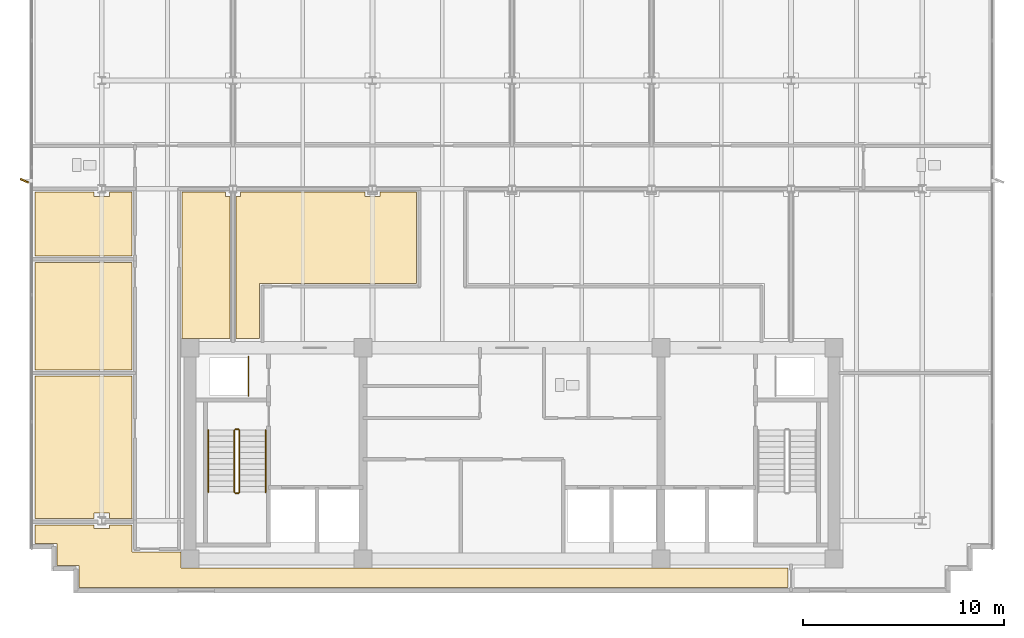
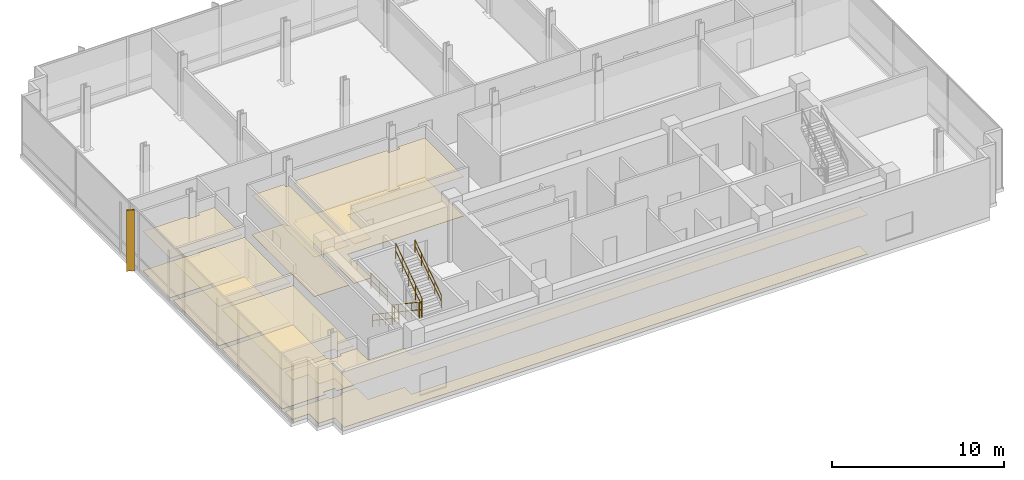
# One storey, part 13 of 17: 12 coverings, 7 railings, 1 shading device.
"""IFC4 building model written with IfcOpenShell, lengths in metres."""

from ifc_helpers import new_model, si_unit, direction, frame, origin, origin_2d, place, context, subcontext, project, spatial, polyline, rectangle, circle, outline, extrude, material, layer, layer_set, type_object, element, save


model = new_model("IFC4")

# Units and contexts
model_context = context("Model", 3, precision=1e-05, world=origin(), true_north=direction((0.0, 1.0)))
body_context = subcontext(model_context, "Body", "Model", "MODEL_VIEW")
ifc_project = project(units=[si_unit("LENGTHUNIT", "METRE"), si_unit("AREAUNIT", "SQUARE_METRE"), si_unit("VOLUMEUNIT", "CUBIC_METRE"), si_unit("PLANEANGLEUNIT", "RADIAN"), si_unit("MASSUNIT", "GRAM", prefix="KILO")], contexts=[model_context])

# Site, building, storey
site_placement = place(None, origin())
site = spatial("IfcSite", under=ifc_project, at=site_placement, CompositionType="ELEMENT")
building_placement = place(site_placement, origin())
building = spatial("IfcBuilding", under=site, at=building_placement, Name="Solmavex Isthmus Hotel", CompositionType="ELEMENT")
storey_placement = place(building_placement, frame((0.0, 0.0, 286.800048828125)))
storey = spatial("IfcBuildingStorey", under=building, at=storey_placement, Name="L78", CompositionType="ELEMENT", Elevation=286.800048828125)

# Coverings
ifc_material_1 = material(Name="Gypsum plasterboard lining", Category="gypsum")
ifc_layer_1 = layer(ifc_material_1, 0.030029296875)
ifc_layer_set_1 = layer_set([ifc_layer_1], Name="Gypsum plasterboard lining")
covering_type_1 = type_object("IfcCoveringType", Name="COV-CEIL-GYP", PredefinedType="CEILING", material=ifc_layer_set_1)
covering_1_placement = place(storey_placement, frame((0.0, 0.0, 2.800048828125)))
element("IfcCovering", 1, at=covering_1_placement, inside=storey, type_object=covering_type_1, Name="Suspended Acoustic Ceiling L78-FL07", PredefinedType="CEILING", context=body_context, shape_type="SweptSolid", body=[
    extrude(outline(polyline([(-20.02001953125, 5.2451171875), (-20.02001953125, 5.02001953125), (-20.780029296875, 5.02001953125), (-20.780029296875, 5.2451171875), (-23.72509765625, 5.2451171875), (-23.72509765625, 2.054931640625), (-18.905029296875, 2.054931640625), (-18.905029296875, 5.2451171875), (-20.02001953125, 5.2451171875)])), origin(), (0.0, 0.0, 1.0), 0.02978515625),
])
covering_2_placement = place(storey_placement, frame((0.0, 0.0, 2.800048828125)))
element("IfcCovering", 2, at=covering_2_placement, inside=storey, type_object=covering_type_1, Name="Suspended Acoustic Ceiling L78-FL08", PredefinedType="CEILING", context=body_context, shape_type="SweptSolid", body=[
    extrude(outline(polyline([(-16.39501953125, -2.044921875), (-14.027099609375, -2.044921875), (-14.027099609375, 5.02001953125), (-14.251953125, 5.02001953125), (-14.251953125, 5.2451171875), (-16.39501953125, 5.2451171875), (-16.39501953125, -2.044921875)])), origin(), (0.0, 0.0, 1.0), 0.02978515625),
])
covering_3_placement = place(storey_placement, frame((0.0, 0.0, 2.800048828125)))
element("IfcCovering", 3, at=covering_3_placement, inside=storey, type_object=covering_type_1, Name="Suspended Acoustic Ceiling L78-FL09", PredefinedType="CEILING", context=body_context, shape_type="SweptSolid", body=[
    extrude(outline(polyline([(-23.72509765625, -3.594970703125), (-18.905029296875, -3.594970703125), (-18.905029296875, 1.7451171875), (-23.72509765625, 1.7451171875), (-23.72509765625, -3.594970703125)])), origin(), (0.0, 0.0, 1.0), 0.02978515625),
])
covering_4_placement = place(storey_placement, frame((0.0, 0.0, 2.800048828125)))
element("IfcCovering", 4, at=covering_4_placement, inside=storey, type_object=covering_type_1, Name="Suspended Acoustic Ceiling L78-FL10", PredefinedType="CEILING", context=body_context, shape_type="SweptSolid", body=[
    extrude(outline(polyline([(-20.780029296875, -10.9951171875), (-20.780029296875, -10.719970703125), (-20.02001953125, -10.719970703125), (-20.02001953125, -10.9951171875), (-18.905029296875, -10.9951171875), (-18.905029296875, -3.905029296875), (-23.72509765625, -3.905029296875), (-23.72509765625, -10.9951171875), (-20.780029296875, -10.9951171875)])), origin(), (0.0, 0.0, 1.0), 0.02978515625),
])
covering_5_placement = place(storey_placement, frame((0.0, 0.0, 2.800048828125)))
element("IfcCovering", 5, at=covering_5_placement, inside=storey, type_object=covering_type_1, Name="Suspended Acoustic Ceiling L78-FL11", PredefinedType="CEILING", context=body_context, shape_type="SweptSolid", body=[
    extrude(outline(polyline([(-6.555908203125, 5.2451171875), (-6.555908203125, 5.02001953125), (-7.31591796875, 5.02001953125), (-7.31591796875, 5.2451171875), (-13.491943359375, 5.2451171875), (-13.491943359375, 5.02001953125), (-13.717041015625, 5.02001953125), (-13.717041015625, -2.044921875), (-12.554931640625, -2.044921875), (-12.554931640625, 0.705078125), (-4.742919921875, 0.705078125), (-4.742919921875, 5.2451171875), (-6.555908203125, 5.2451171875)])), origin(), (0.0, 0.0, 1.0), 0.02978515625),
])
covering_6_placement = place(storey_placement, frame((0.0, 0.0, 2.800048828125)))
element("IfcCovering", 6, at=covering_6_placement, inside=storey, type_object=covering_type_1, Name="Suspended Acoustic Ceiling L78-FL12", PredefinedType="CEILING", context=body_context, shape_type="SweptSolid", body=[
    extrude(outline(polyline([(-20.02001953125, -11.304931640625), (-20.02001953125, -11.47998046875), (-20.780029296875, -11.47998046875), (-20.780029296875, -11.304931640625), (-23.72509765625, -11.304931640625), (-23.72509765625, -12.22509765625), (-22.625, -12.22509765625), (-22.625, -13.324951171875), (-21.52490234375, -13.324951171875), (-21.52490234375, -14.425048828125), (13.717041015625, -14.425048828125), (13.717041015625, -13.455078125), (-16.455078125, -13.455078125), (-16.455078125, -12.655029296875), (-18.905029296875, -12.655029296875), (-18.905029296875, -11.304931640625), (-20.02001953125, -11.304931640625)])), origin(), (0.0, 0.0, 1.0), 0.02978515625),
])
ifc_material_2 = material(Name="Travertine natural stone", Category="masonry")
ifc_layer_2 = layer(ifc_material_2, 0.02490234375)
ifc_layer_set_2 = layer_set([ifc_layer_2], Name="Travertine natural stone")
covering_type_2 = type_object("IfcCoveringType", Name="COV-FLOR-STN", PredefinedType="FLOORING", material=ifc_layer_set_2)
covering_7_placement = place(storey_placement, origin())
element("IfcCovering", 7, at=covering_7_placement, inside=storey, type_object=covering_type_2, Name="Stone and Timber Floor Finish L78-FL07", PredefinedType="FLOORING", context=body_context, shape_type="SweptSolid", body=[
    extrude(outline(polyline([(-20.02001953125, 5.2451171875), (-20.02001953125, 5.02001953125), (-20.780029296875, 5.02001953125), (-20.780029296875, 5.2451171875), (-23.72509765625, 5.2451171875), (-23.72509765625, 2.054931640625), (-18.905029296875, 2.054931640625), (-18.905029296875, 5.2451171875), (-20.02001953125, 5.2451171875)])), origin(), (0.0, 0.0, 1.0), 0.02490234375),
])
covering_8_placement = place(storey_placement, origin())
element("IfcCovering", 8, at=covering_8_placement, inside=storey, type_object=covering_type_2, Name="Stone and Timber Floor Finish L78-FL08", PredefinedType="FLOORING", context=body_context, shape_type="SweptSolid", body=[
    extrude(outline(polyline([(-16.39501953125, -2.044921875), (-14.027099609375, -2.044921875), (-14.027099609375, 5.02001953125), (-14.251953125, 5.02001953125), (-14.251953125, 5.2451171875), (-16.39501953125, 5.2451171875), (-16.39501953125, -2.044921875)])), origin(), (0.0, 0.0, 1.0), 0.02490234375),
])
covering_9_placement = place(storey_placement, origin())
element("IfcCovering", 9, at=covering_9_placement, inside=storey, type_object=covering_type_2, Name="Stone and Timber Floor Finish L78-FL09", PredefinedType="FLOORING", context=body_context, shape_type="SweptSolid", body=[
    extrude(outline(polyline([(-23.72509765625, -3.594970703125), (-18.905029296875, -3.594970703125), (-18.905029296875, 1.7451171875), (-23.72509765625, 1.7451171875), (-23.72509765625, -3.594970703125)])), origin(), (0.0, 0.0, 1.0), 0.02490234375),
])
covering_10_placement = place(storey_placement, origin())
element("IfcCovering", 10, at=covering_10_placement, inside=storey, type_object=covering_type_2, Name="Stone and Timber Floor Finish L78-FL10", PredefinedType="FLOORING", context=body_context, shape_type="SweptSolid", body=[
    extrude(outline(polyline([(-20.780029296875, -10.9951171875), (-20.780029296875, -10.719970703125), (-20.02001953125, -10.719970703125), (-20.02001953125, -10.9951171875), (-18.905029296875, -10.9951171875), (-18.905029296875, -3.905029296875), (-23.72509765625, -3.905029296875), (-23.72509765625, -10.9951171875), (-20.780029296875, -10.9951171875)])), origin(), (0.0, 0.0, 1.0), 0.02490234375),
])
covering_11_placement = place(storey_placement, origin())
element("IfcCovering", 11, at=covering_11_placement, inside=storey, type_object=covering_type_2, Name="Stone and Timber Floor Finish L78-FL11", PredefinedType="FLOORING", context=body_context, shape_type="SweptSolid", body=[
    extrude(outline(polyline([(-6.555908203125, 5.2451171875), (-6.555908203125, 5.02001953125), (-7.31591796875, 5.02001953125), (-7.31591796875, 5.2451171875), (-13.491943359375, 5.2451171875), (-13.491943359375, 5.02001953125), (-13.717041015625, 5.02001953125), (-13.717041015625, -2.044921875), (-12.554931640625, -2.044921875), (-12.554931640625, 0.705078125), (-4.742919921875, 0.705078125), (-4.742919921875, 5.2451171875), (-6.555908203125, 5.2451171875)])), origin(), (0.0, 0.0, 1.0), 0.02490234375),
])
covering_12_placement = place(storey_placement, origin())
element("IfcCovering", 12, at=covering_12_placement, inside=storey, type_object=covering_type_2, Name="Stone and Timber Floor Finish L78-FL12", PredefinedType="FLOORING", context=body_context, shape_type="SweptSolid", body=[
    extrude(outline(polyline([(-20.02001953125, -11.304931640625), (-20.02001953125, -11.47998046875), (-20.780029296875, -11.47998046875), (-20.780029296875, -11.304931640625), (-23.72509765625, -11.304931640625), (-23.72509765625, -12.22509765625), (-22.625, -12.22509765625), (-22.625, -13.324951171875), (-21.52490234375, -13.324951171875), (-21.52490234375, -14.425048828125), (13.717041015625, -14.425048828125), (13.717041015625, -13.455078125), (-16.455078125, -13.455078125), (-16.455078125, -12.655029296875), (-18.905029296875, -12.655029296875), (-18.905029296875, -11.304931640625), (-20.02001953125, -11.304931640625)])), origin(), (0.0, 0.0, 1.0), 0.02490234375),
])

# Railings
ifc_material_3 = material(Name="Clear low-E laminated glass", Category="glass")
ifc_layer_3 = layer(ifc_material_3, 0.080078125)
ifc_layer_set_3 = layer_set([ifc_layer_3], Name="Clear low-E laminated glass")
railing_type_1 = type_object("IfcRailingType", Name="RAIL-ATRIUM-1120", PredefinedType="BALUSTRADE", material=ifc_layer_set_3)
railing_1_placement = place(storey_placement, frame((-13.10009765625, -4.89990234375, 0.0)))
element("IfcRailing", 13, at=railing_1_placement, inside=storey, type_object=railing_type_1, Name="Guardrail Balustrade L78-RSW-01", PredefinedType="BALUSTRADE", context=body_context, shape_type="SweptSolid", body=[
    extrude(circle(Radius=0.02392578125, at=origin_2d()), frame((0.0, 0.0, 1.1259765625), z_axis=(0.0, 1.0, 0.0), x_axis=(-1.0, 0.0, 0.0)), (0.0, 0.0, 1.0), 1.949951171875),
    extrude(circle(Radius=0.02392578125, at=origin_2d()), frame((0.0, 0.0, 0.574951171875), z_axis=(0.0, 1.0, 0.0), x_axis=(-1.0, 0.0, 0.0)), (0.0, 0.0, 1.0), 1.949951171875),
    extrude(circle(Radius=0.02099609375, at=origin_2d()), origin(), (0.0, 0.0, 1.0), 1.101806640625),
    extrude(circle(Radius=0.02099609375, at=origin_2d()), frame((0.0, 0.97509765625, 0.0)), (0.0, 0.0, 1.0), 1.101806640625),
    extrude(circle(Radius=0.02099609375, at=origin_2d()), frame((0.0, 1.949951171875, 0.0)), (0.0, 0.0, 1.0), 1.101806640625),
])
ifc_material_4 = material(Name="Stainless steel 316", Category="steel")
ifc_layer_4 = layer(ifc_material_4, 0.06005859375)
ifc_layer_set_4 = layer_set([ifc_layer_4], Name="Stainless steel 316")
railing_type_2 = type_object("IfcRailingType", Name="RAIL-STAIR-GD", PredefinedType="GUARDRAIL", material=ifc_layer_set_4)
railing_2_placement = place(storey_placement, frame((-13.800048828125, -6.60009765625, 0.1875)))
element("IfcRailing", 14, at=railing_2_placement, inside=storey, type_object=railing_type_2, Name="L78 ST-1 stair guard 1", PredefinedType="GUARDRAIL", context=body_context, shape_type="SweptSolid", body=[
    extrude(circle(Radius=0.02392578125, at=origin_2d()), frame((0.0, 0.0, 1.09619140625), z_axis=(0.0, -0.830893310487, 0.556431762742), x_axis=(1.0, 0.0, 0.0)), (0.0, 0.0, 1.0), 3.70654296875),
    extrude(circle(Radius=0.02392578125, at=origin_2d()), frame((0.0, 0.0, 0.56005859375), z_axis=(0.0, -0.830893310487, 0.556431762742), x_axis=(1.0, 0.0, 0.0)), (0.0, 0.0, 1.0), 3.70654296875),
    extrude(circle(Radius=0.02099609375, at=origin_2d()), origin(), (0.0, 0.0, 1.0), 1.072021484375),
    extrude(circle(Radius=0.02099609375, at=origin_2d()), frame((0.0, -0.77001953125, 0.515625)), (0.0, 0.0, 1.0), 1.072021484375),
    extrude(circle(Radius=0.02099609375, at=origin_2d()), frame((0.0, -1.5400390625, 1.03125)), (0.0, 0.0, 1.0), 1.072021484375),
    extrude(circle(Radius=0.02099609375, at=origin_2d()), frame((0.0, -2.309814453125, 1.546875)), (0.0, 0.0, 1.0), 1.072021484375),
    extrude(circle(Radius=0.02099609375, at=origin_2d()), frame((0.0, -3.079833984375, 2.0625)), (0.0, 0.0, 1.0), 1.072021484375),
])
railing_3_placement = place(storey_placement, frame((-13.75, -9.72998046875, 2.25)))
element("IfcRailing", 15, at=railing_3_placement, inside=storey, type_object=railing_type_2, Name="L78 ST-1 stair guard 2", PredefinedType="GUARDRAIL", context=body_context, shape_type="SweptSolid", body=[
    extrude(circle(Radius=0.02392578125, at=origin_2d()), frame((0.0, 0.0, 1.09619140625), z_axis=(1.0, 0.0, 0.0), x_axis=(0.0, 1.0, 0.0)), (0.0, 0.0, 1.0), 0.14990234375),
    extrude(circle(Radius=0.02392578125, at=origin_2d()), frame((0.0, 0.0, 0.56005859375), z_axis=(1.0, 0.0, 0.0), x_axis=(0.0, 1.0, 0.0)), (0.0, 0.0, 1.0), 0.14990234375),
    extrude(circle(Radius=0.02099609375, at=origin_2d()), origin(), (0.0, 0.0, 1.0), 1.072021484375),
    extrude(circle(Radius=0.02099609375, at=origin_2d()), frame((0.14990234375, 0.0, 0.0)), (0.0, 0.0, 1.0), 1.072021484375),
])
railing_4_placement = place(storey_placement, frame((-13.550048828125, -9.679931640625, 2.4375)))
element("IfcRailing", 16, at=railing_4_placement, inside=storey, type_object=railing_type_2, Name="L78 ST-1 stair guard 3", PredefinedType="GUARDRAIL", context=body_context, shape_type="SweptSolid", body=[
    extrude(circle(Radius=0.02392578125, at=origin_2d()), frame((0.0, 0.0, 1.09619140625), z_axis=(0.0, 0.830893310487, 0.556431762742), x_axis=(-1.0, 0.0, 0.0)), (0.0, 0.0, 1.0), 3.70654296875),
    extrude(circle(Radius=0.02392578125, at=origin_2d()), frame((0.0, 0.0, 0.56005859375), z_axis=(0.0, 0.830893310487, 0.556431762742), x_axis=(-1.0, 0.0, 0.0)), (0.0, 0.0, 1.0), 3.70654296875),
    extrude(circle(Radius=0.02099609375, at=origin_2d()), origin(), (0.0, 0.0, 1.0), 1.072021484375),
    extrude(circle(Radius=0.02099609375, at=origin_2d()), frame((0.0, 0.77001953125, 0.515625)), (0.0, 0.0, 1.0), 1.072021484375),
    extrude(circle(Radius=0.02099609375, at=origin_2d()), frame((0.0, 1.5400390625, 1.03125)), (0.0, 0.0, 1.0), 1.072021484375),
    extrude(circle(Radius=0.02099609375, at=origin_2d()), frame((0.0, 2.309814453125, 1.546875)), (0.0, 0.0, 1.0), 1.072021484375),
    extrude(circle(Radius=0.02099609375, at=origin_2d()), frame((0.0, 3.079833984375, 2.0625)), (0.0, 0.0, 1.0), 1.072021484375),
])
railing_5_placement = place(storey_placement, frame((-13.75, -6.550048828125, 0.0)))
element("IfcRailing", 17, at=railing_5_placement, inside=storey, type_object=railing_type_2, Name="L78 ST-1 stair guard 4", PredefinedType="GUARDRAIL", context=body_context, shape_type="SweptSolid", body=[
    extrude(circle(Radius=0.02392578125, at=origin_2d()), frame((0.0, 0.0, 1.09619140625), z_axis=(1.0, 0.0, 0.0), x_axis=(0.0, 1.0, 0.0)), (0.0, 0.0, 1.0), 0.14990234375),
    extrude(circle(Radius=0.02392578125, at=origin_2d()), frame((0.0, 0.0, 0.56005859375), z_axis=(1.0, 0.0, 0.0), x_axis=(0.0, 1.0, 0.0)), (0.0, 0.0, 1.0), 0.14990234375),
    extrude(circle(Radius=0.02099609375, at=origin_2d()), origin(), (0.0, 0.0, 1.0), 1.072021484375),
    extrude(circle(Radius=0.02099609375, at=origin_2d()), frame((0.14990234375, 0.0, 0.0)), (0.0, 0.0, 1.0), 1.072021484375),
])
ifc_layer_5 = layer(ifc_material_4, 0.050048828125)
ifc_layer_set_5 = layer_set([ifc_layer_5], Name="Stainless steel 316")
railing_type_3 = type_object("IfcRailingType", Name="RAIL-STAIR-HR", PredefinedType="HANDRAIL", material=ifc_layer_set_5)
railing_6_placement = place(storey_placement, frame((-15.10009765625, -6.60009765625, 0.1875)))
element("IfcRailing", 18, at=railing_6_placement, inside=storey, type_object=railing_type_3, Name="L78 ST-1 stair handrail 1", PredefinedType="HANDRAIL", context=body_context, shape_type="SweptSolid", body=[
    extrude(circle(Radius=0.02392578125, at=origin_2d()), frame((0.0, 0.0, 0.8759765625), z_axis=(0.0, -0.830893310487, 0.556431762742), x_axis=(1.0, 0.0, 0.0)), (0.0, 0.0, 1.0), 3.70654296875),
    extrude(circle(Radius=0.02392578125, at=origin_2d()), frame((0.0, 0.0, 0.449951171875), z_axis=(0.0, -0.830893310487, 0.556431762742), x_axis=(1.0, 0.0, 0.0)), (0.0, 0.0, 1.0), 3.70654296875),
    extrude(circle(Radius=0.02099609375, at=origin_2d()), origin(), (0.0, 0.0, 1.0), 0.851806640625),
    extrude(circle(Radius=0.02099609375, at=origin_2d()), frame((0.0, -0.77001953125, 0.515625)), (0.0, 0.0, 1.0), 0.851806640625),
    extrude(circle(Radius=0.02099609375, at=origin_2d()), frame((0.0, -1.5400390625, 1.03125)), (0.0, 0.0, 1.0), 0.851806640625),
    extrude(circle(Radius=0.02099609375, at=origin_2d()), frame((0.0, -2.309814453125, 1.546875)), (0.0, 0.0, 1.0), 0.851806640625),
    extrude(circle(Radius=0.02099609375, at=origin_2d()), frame((0.0, -3.079833984375, 2.0625)), (0.0, 0.0, 1.0), 0.851806640625),
])
railing_7_placement = place(storey_placement, frame((-12.25, -9.679931640625, 2.4375)))
element("IfcRailing", 19, at=railing_7_placement, inside=storey, type_object=railing_type_3, Name="L78 ST-1 stair handrail 2", PredefinedType="HANDRAIL", context=body_context, shape_type="SweptSolid", body=[
    extrude(circle(Radius=0.02392578125, at=origin_2d()), frame((0.0, 0.0, 0.8759765625), z_axis=(0.0, 0.830893310487, 0.556431762742), x_axis=(-1.0, 0.0, 0.0)), (0.0, 0.0, 1.0), 3.70654296875),
    extrude(circle(Radius=0.02392578125, at=origin_2d()), frame((0.0, 0.0, 0.449951171875), z_axis=(0.0, 0.830893310487, 0.556431762742), x_axis=(-1.0, 0.0, 0.0)), (0.0, 0.0, 1.0), 3.70654296875),
    extrude(circle(Radius=0.02099609375, at=origin_2d()), origin(), (0.0, 0.0, 1.0), 0.851806640625),
    extrude(circle(Radius=0.02099609375, at=origin_2d()), frame((0.0, 0.77001953125, 0.515625)), (0.0, 0.0, 1.0), 0.851806640625),
    extrude(circle(Radius=0.02099609375, at=origin_2d()), frame((0.0, 1.5400390625, 1.03125)), (0.0, 0.0, 1.0), 0.851806640625),
    extrude(circle(Radius=0.02099609375, at=origin_2d()), frame((0.0, 2.309814453125, 1.546875)), (0.0, 0.0, 1.0), 0.851806640625),
    extrude(circle(Radius=0.02099609375, at=origin_2d()), frame((0.0, 3.079833984375, 2.0625)), (0.0, 0.0, 1.0), 0.851806640625),
])

# Shading device
ifc_material_5 = material(Name="Aluminium alloy 6063-T6", Category="aluminium")
shading_device_type = type_object("IfcShadingDeviceType", Name="SHD-FIN-BRONZE", PredefinedType="USERDEFINED", material=ifc_material_5)
shading_device_placement = place(storey_placement, frame((-24.239990234375, 5.800048828125, -0.14013671875), z_axis=(0.0, 0.0, 1.0), x_axis=(-0.913545457643, 0.406736643076, 0.0)))
element("IfcShadingDevice", 20, at=shading_device_placement, inside=storey, type_object=shading_device_type, Name="Anodised Aluminium Solar Fin L78-W1", ObjectType="SOLAR_FIN", PredefinedType="USERDEFINED", context=body_context, shape_type="SweptSolid", body=[
    extrude(rectangle(XDim=0.449951171875, YDim=0.080078125, at=origin_2d()), origin(), (0.0, 0.0, 1.0), 4.340087890625),
])

save(model, "model.ifc")
